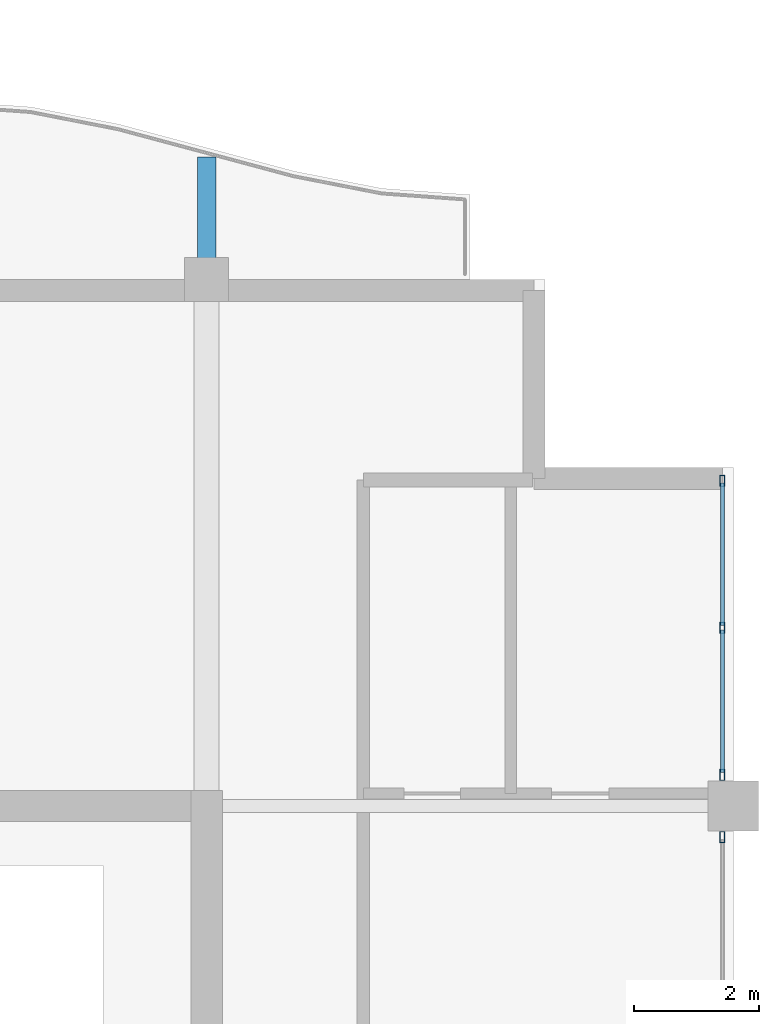
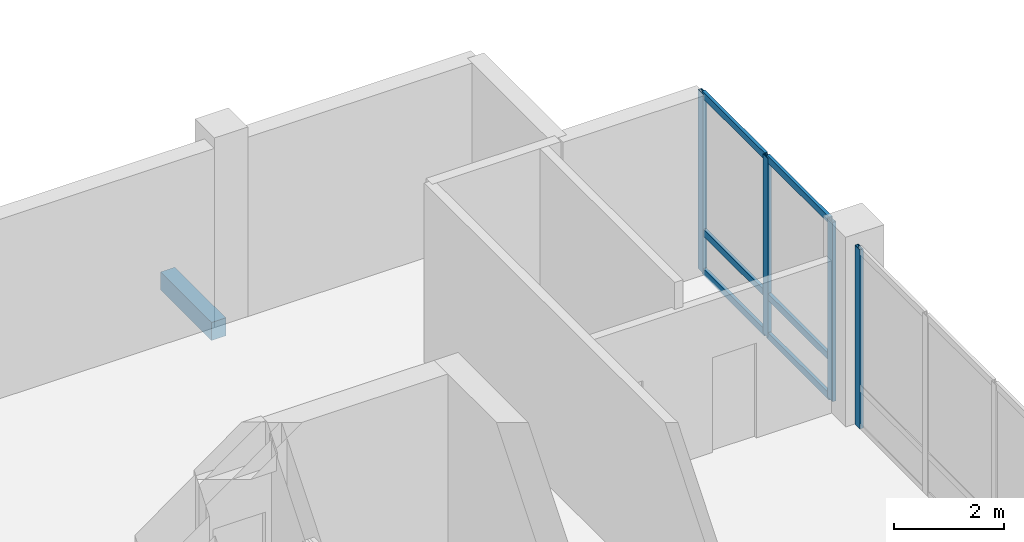
# One storey, part 4 of 16: 10 members, 1 beam, 2 elements without a shape of their own.
"""IFC4 building model written with IfcOpenShell, lengths in metres."""

from ifc_helpers import new_model, si_unit, direction, frame, origin, origin_2d, place, context, subcontext, project, spatial, rectangle, hollow_rectangle, extrude, material, layer, layer_set, material_profile, profile_set, type_object, element, aggregate, save


model = new_model("IFC4")

# Units and contexts
model_context = context("Model", 3, precision=1e-05, world=origin(), true_north=direction((0.0, 1.0)))
body_context = subcontext(model_context, "Body", "Model", "MODEL_VIEW")
ifc_project = project(units=[si_unit("LENGTHUNIT", "METRE"), si_unit("AREAUNIT", "SQUARE_METRE"), si_unit("VOLUMEUNIT", "CUBIC_METRE"), si_unit("PLANEANGLEUNIT", "RADIAN"), si_unit("MASSUNIT", "GRAM", prefix="KILO")], contexts=[model_context])

# Site, building, storey
site_placement = place(None, origin())
site = spatial("IfcSite", under=ifc_project, at=site_placement, CompositionType="ELEMENT")
building_placement = place(site_placement, origin())
building = spatial("IfcBuilding", under=site, at=building_placement, Name="Koriwani Terraces Tower", CompositionType="ELEMENT")
storey_placement = place(building_placement, frame((0.0, 0.0, 355.39990234375)))
storey = spatial("IfcBuildingStorey", under=building, at=storey_placement, Name="L88", CompositionType="ELEMENT", Elevation=355.39990234375)

# Beam
ifc_material_1 = material(Name="Concrete C40/50", Category="concrete")
ifc_material_profile_1 = material_profile(ifc_material_1, rectangle(XDim=0.300048828125, YDim=0.39990234375, at=origin_2d()), Name="Concrete C40/50", Category="LoadBearing")
ifc_profile_set_1 = profile_set([ifc_material_profile_1], Name="Concrete C40/50")
beam_type = type_object("IfcBeamType", Name="BEAM_RC_BALCONY_RIB_300X400", PredefinedType="JOIST", material=ifc_profile_set_1)
beam_placement = place(storey_placement, frame((58.800048828125, 33.699951171875, -0.429931640625), z_axis=(0.0, 1.0, 0.0), x_axis=(-1.0, 0.0, 0.0)))
element("IfcBeam", 1, at=beam_placement, inside=storey, type_object=beam_type, Name="L88 Balcony Bracket Rib NE-3", PredefinedType="JOIST", context=body_context, shape_type="SweptSolid", body=[
    extrude(rectangle(XDim=0.300048828125, YDim=0.39990234375, at=origin_2d()), origin(), (0.0, 0.0, 1.0), 1.85009765625),
])

# Curtain wall, members
ifc_material_2 = material(Name="Anodised Bronze Aluminium", Category="aluminium")
ifc_layer = layer(ifc_material_2, 0.18994140625, Name="Anodised Bronze Aluminium")
ifc_layer_set = layer_set([ifc_layer], Name="Anodised Bronze Aluminium")
curtain_wall_type = type_object("IfcCurtainWallType", Name="CW_PENTHOUSE_ZONE5", PredefinedType="NOTDEFINED", material=ifc_layer_set)
curtain_wall_1_placement = place(storey_placement, origin())
curtain_wall_1 = element("IfcCurtainWall", 2, at=curtain_wall_1_placement, inside=storey, type_object=curtain_wall_type, Name="L88 Unitised Curtain Wall (E_TIP) Bay 1", PredefinedType="NOTDEFINED")
ifc_material_profile_2 = material_profile(ifc_material_2, hollow_rectangle(XDim=0.074951171875, YDim=0.179931640625, WallThickness=0.006103515625, at=origin_2d()), Name="Anodised Bronze Aluminium", Category="LoadBearing")
ifc_profile_set_2 = profile_set([ifc_material_profile_2], Name="Anodised Bronze Aluminium")
member_type_1 = type_object("IfcMemberType", Name="CW_MULLION_180X75", PredefinedType="MULLION", material=ifc_profile_set_2)
member_1_placement = place(storey_placement, frame((67.02490234375, 30.387451171875, 0.0), z_axis=(0.0, 0.0, 1.0), x_axis=(1.0, 0.0, 0.0)))
member_1 = element("IfcMember", 3, at=member_1_placement, type_object=member_type_1, Name="CW-Z5 mullion 1", PredefinedType="MULLION", context=body_context, shape_type="SweptSolid", body=[
    extrude(hollow_rectangle(XDim=0.074951171875, YDim=0.179931640625, WallThickness=0.006103515625, at=origin_2d()), origin(), (0.0, 0.0, 1.0), 3.97021484375),
])
member_2_placement = place(storey_placement, frame((67.02490234375, 28.04248046875, 0.0), z_axis=(0.0, 0.0, 1.0), x_axis=(1.0, 0.0, 0.0)))
member_2 = element("IfcMember", 4, at=member_2_placement, type_object=member_type_1, Name="CW-Z5 mullion 2", PredefinedType="MULLION", context=body_context, shape_type="SweptSolid", body=[
    extrude(hollow_rectangle(XDim=0.074951171875, YDim=0.179931640625, WallThickness=0.006103515625, at=origin_2d()), origin(), (0.0, 0.0, 1.0), 3.97021484375),
])
member_3_placement = place(storey_placement, frame((67.02490234375, 25.697509765625, 0.0), z_axis=(0.0, 0.0, 1.0), x_axis=(1.0, 0.0, 0.0)))
member_3 = element("IfcMember", 5, at=member_3_placement, type_object=member_type_1, Name="CW-Z5 mullion 3", PredefinedType="MULLION", context=body_context, shape_type="SweptSolid", body=[
    extrude(hollow_rectangle(XDim=0.074951171875, YDim=0.179931640625, WallThickness=0.006103515625, at=origin_2d()), origin(), (0.0, 0.0, 1.0), 3.97021484375),
])

# Curtain wall, member
curtain_wall_2_placement = place(storey_placement, origin())
curtain_wall_2 = element("IfcCurtainWall", 6, at=curtain_wall_2_placement, inside=storey, type_object=curtain_wall_type, Name="L88 Unitised Curtain Wall (E_TIP) Bay 2", PredefinedType="NOTDEFINED")
member_4_placement = place(storey_placement, frame((67.02490234375, 24.702392578125, 0.0), z_axis=(0.0, 0.0, 1.0), x_axis=(1.0, 0.0, 0.0)))
member_4 = element("IfcMember", 7, at=member_4_placement, type_object=member_type_1, Name="CW-Z5 mullion 1", PredefinedType="MULLION", context=body_context, shape_type="SweptSolid", body=[
    extrude(hollow_rectangle(XDim=0.074951171875, YDim=0.179931640625, WallThickness=0.006103515625, at=origin_2d()), origin(), (0.0, 0.0, 1.0), 3.97021484375),
])
aggregate(curtain_wall_2, [member_4])

# Member
ifc_material_profile_3 = material_profile(ifc_material_2, hollow_rectangle(XDim=0.06494140625, YDim=0.14990234375, WallThickness=0.0048828125, at=origin_2d()), Name="Anodised Bronze Aluminium", Category="LoadBearing")
ifc_profile_set_3 = profile_set([ifc_material_profile_3], Name="Anodised Bronze Aluminium")
member_type_2 = type_object("IfcMemberType", Name="CW_TRANSOM_150X65", PredefinedType="USERDEFINED", material=ifc_profile_set_3)
member_5_placement = place(storey_placement, frame((67.02490234375, 30.35009765625, 0.03271484375), z_axis=(0.0, -1.0, 0.0), x_axis=(1.0, 0.0, 0.0)))
member_5 = element("IfcMember", 8, at=member_5_placement, type_object=member_type_2, Name="CW-Z5 transom 1.1", ObjectType="TRANSOM", PredefinedType="USERDEFINED", context=body_context, shape_type="SweptSolid", body=[
    extrude(hollow_rectangle(XDim=0.06494140625, YDim=0.14990234375, WallThickness=0.0048828125, at=origin_2d()), origin(), (0.0, 0.0, 1.0), 2.27001953125),
])

member_6_placement = place(storey_placement, frame((67.02490234375, 30.35009765625, 0.900146484375), z_axis=(0.0, -1.0, 0.0), x_axis=(1.0, 0.0, 0.0)))
member_6 = element("IfcMember", 9, at=member_6_placement, type_object=member_type_2, Name="CW-Z5 transom 1.2", ObjectType="TRANSOM", PredefinedType="USERDEFINED", context=body_context, shape_type="SweptSolid", body=[
    extrude(hollow_rectangle(XDim=0.06494140625, YDim=0.14990234375, WallThickness=0.0048828125, at=origin_2d()), origin(), (0.0, 0.0, 1.0), 2.27001953125),
])

member_7_placement = place(storey_placement, frame((67.02490234375, 30.35009765625, 3.9375), z_axis=(0.0, -1.0, 0.0), x_axis=(1.0, 0.0, 0.0)))
member_7 = element("IfcMember", 10, at=member_7_placement, type_object=member_type_2, Name="CW-Z5 transom 1.3", ObjectType="TRANSOM", PredefinedType="USERDEFINED", context=body_context, shape_type="SweptSolid", body=[
    extrude(hollow_rectangle(XDim=0.06494140625, YDim=0.14990234375, WallThickness=0.0048828125, at=origin_2d()), origin(), (0.0, 0.0, 1.0), 2.27001953125),
])

member_8_placement = place(storey_placement, frame((67.02490234375, 28.0048828125, 0.03271484375), z_axis=(0.0, -1.0, 0.0), x_axis=(1.0, 0.0, 0.0)))
member_8 = element("IfcMember", 11, at=member_8_placement, type_object=member_type_2, Name="CW-Z5 transom 2.1", ObjectType="TRANSOM", PredefinedType="USERDEFINED", context=body_context, shape_type="SweptSolid", body=[
    extrude(hollow_rectangle(XDim=0.06494140625, YDim=0.14990234375, WallThickness=0.0048828125, at=origin_2d()), origin(), (0.0, 0.0, 1.0), 2.269775390625),
])

member_9_placement = place(storey_placement, frame((67.02490234375, 28.0048828125, 0.900146484375), z_axis=(0.0, -1.0, 0.0), x_axis=(1.0, 0.0, 0.0)))
member_9 = element("IfcMember", 12, at=member_9_placement, type_object=member_type_2, Name="CW-Z5 transom 2.2", ObjectType="TRANSOM", PredefinedType="USERDEFINED", context=body_context, shape_type="SweptSolid", body=[
    extrude(hollow_rectangle(XDim=0.06494140625, YDim=0.14990234375, WallThickness=0.0048828125, at=origin_2d()), origin(), (0.0, 0.0, 1.0), 2.269775390625),
])

member_10_placement = place(storey_placement, frame((67.02490234375, 28.0048828125, 3.9375), z_axis=(0.0, -1.0, 0.0), x_axis=(1.0, 0.0, 0.0)))
member_10 = element("IfcMember", 13, at=member_10_placement, type_object=member_type_2, Name="CW-Z5 transom 2.3", ObjectType="TRANSOM", PredefinedType="USERDEFINED", context=body_context, shape_type="SweptSolid", body=[
    extrude(hollow_rectangle(XDim=0.06494140625, YDim=0.14990234375, WallThickness=0.0048828125, at=origin_2d()), origin(), (0.0, 0.0, 1.0), 2.269775390625),
])

aggregate(curtain_wall_1, [member_1, member_2, member_3, member_5, member_6, member_7, member_8, member_9, member_10])

save(model, "model.ifc")
